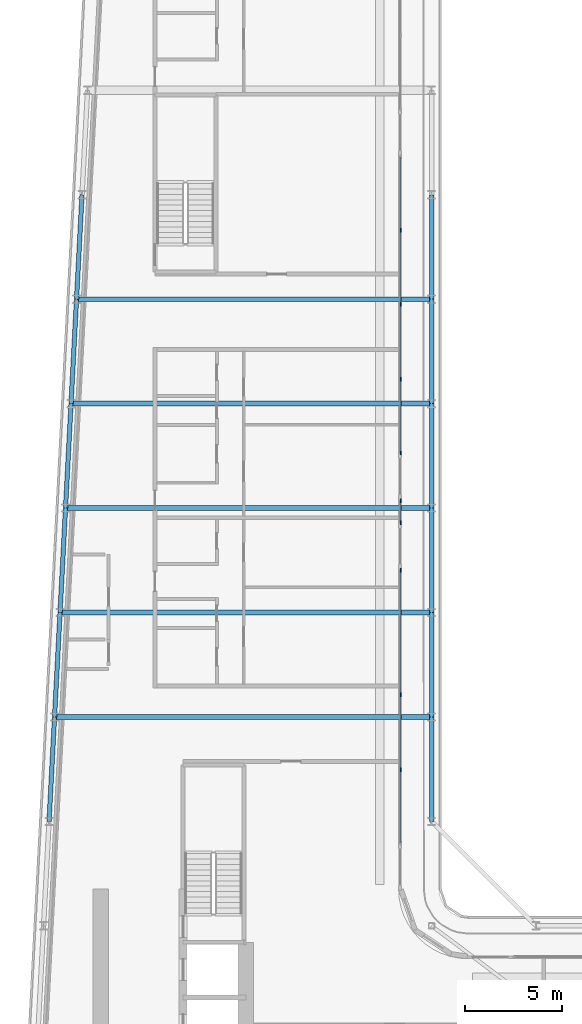
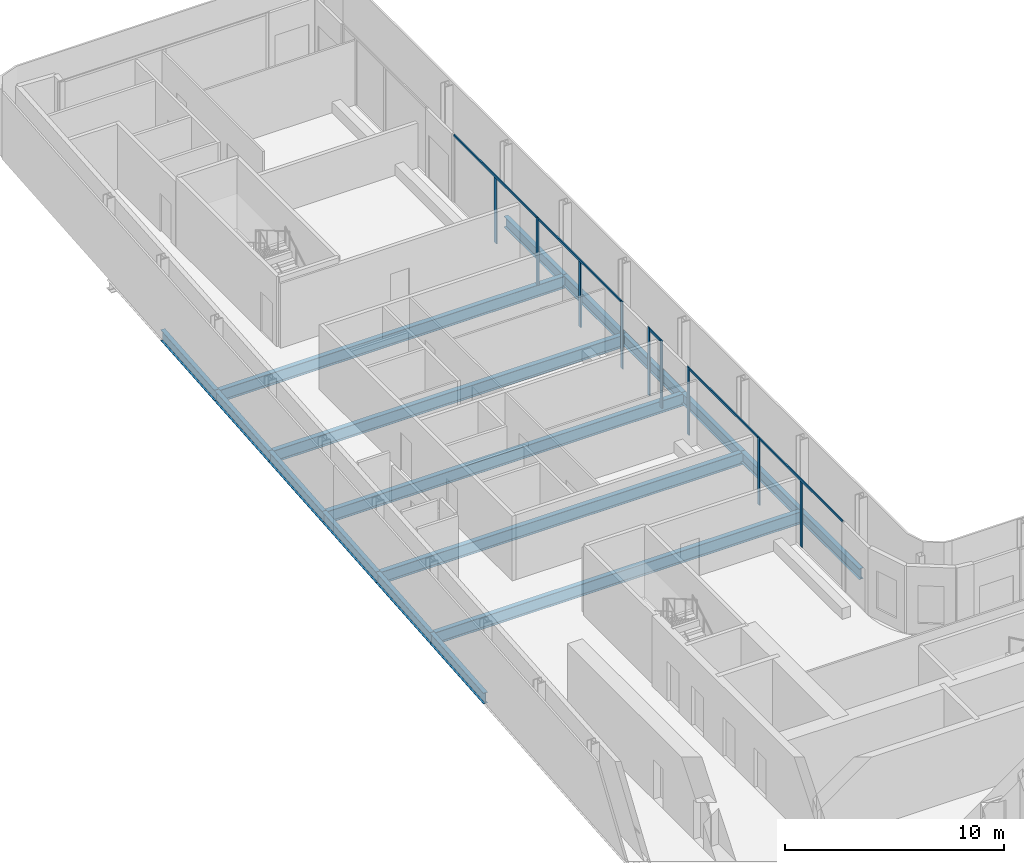
# One storey, part 9 of 30: 17 beams, 14 members, 5 elements without a shape of their own.
"""IFC4 building model written with IfcOpenShell, lengths in metres."""

from ifc_helpers import new_model, si_unit, direction, frame, origin, origin_2d, place, context, subcontext, project, spatial, rectangle, i_section, extrude, material, layer, layer_set, material_profile, profile_set, type_object, element, aggregate, save


model = new_model("IFC4")

# Units and contexts
model_context = context("Model", 3, precision=1e-05, world=origin(), true_north=direction((0.0, 1.0)))
body_context = subcontext(model_context, "Body", "Model", "MODEL_VIEW")
ifc_project = project(units=[si_unit("LENGTHUNIT", "METRE"), si_unit("AREAUNIT", "SQUARE_METRE"), si_unit("VOLUMEUNIT", "CUBIC_METRE"), si_unit("PLANEANGLEUNIT", "RADIAN"), si_unit("MASSUNIT", "GRAM", prefix="KILO")], contexts=[model_context])

# Site, building, storey
site_placement = place(None, origin())
site = spatial("IfcSite", under=ifc_project, at=site_placement, CompositionType="ELEMENT")
building_placement = place(site_placement, origin())
building = spatial("IfcBuilding", under=site, at=building_placement, Name="Kheshtan School and Residences Tower", CompositionType="ELEMENT")
storey_placement = place(building_placement, frame((0.0, 0.0, 199.39990234375)))
storey = spatial("IfcBuildingStorey", under=building, at=storey_placement, Name="L47", CompositionType="ELEMENT", Elevation=199.39990234375)

# Beams
ifc_material_1 = material(Name="Steel ASTM A992 Grade 50", Category="steel")
ifc_material_profile_1 = material_profile(ifc_material_1, i_section(OverallWidth=0.2529296875, OverallDepth=0.677978515625, WebThickness=0.01171875, FlangeThickness=0.016357421875, FilletRadius=0.0146484375, at=origin_2d()), Name="W690x125")
ifc_profile_set_1 = profile_set([ifc_material_profile_1], Name="Steel ASTM A992 Grade 50")
beam_type_1 = type_object("IfcBeamType", Name="Beam FB6 W690x125 ASTM A992 Grade 50", PredefinedType="BEAM", material=ifc_profile_set_1)
beam_1_placement = place(storey_placement, frame((47.60009765625, 78.0, -0.489013671875), z_axis=(-1.0, 0.0, 0.0), x_axis=(0.0, -1.0, 0.0)))
element("IfcBeam", 1, at=beam_1_placement, inside=storey, type_object=beam_type_1, Name="Floor beam C089", PredefinedType="BEAM", context=body_context, shape_type="SweptSolid", body=[
    extrude(i_section(OverallWidth=0.2529296875, OverallDepth=0.677978515625, WebThickness=0.01171875, FlangeThickness=0.016357421875, FilletRadius=0.0146484375, at=origin_2d()), origin(), (0.0, 0.0, 1.0), 18.357177734375),
])
beam_2_placement = place(storey_placement, frame((47.60009765625, 67.199951171875, -0.489013671875), z_axis=(-1.0, 0.0, 0.0), x_axis=(0.0, -1.0, 0.0)))
element("IfcBeam", 2, at=beam_2_placement, inside=storey, type_object=beam_type_1, Name="Floor beam C085", PredefinedType="BEAM", context=body_context, shape_type="SweptSolid", body=[
    extrude(i_section(OverallWidth=0.2529296875, OverallDepth=0.677978515625, WebThickness=0.01171875, FlangeThickness=0.016357421875, FilletRadius=0.0146484375, at=origin_2d()), origin(), (0.0, 0.0, 1.0), 18.926025390625),
])
beam_3_placement = place(storey_placement, frame((47.60009765625, 56.39990234375, -0.489013671875), z_axis=(-1.0, 0.0, 0.0), x_axis=(0.0, -1.0, 0.0)))
element("IfcBeam", 3, at=beam_3_placement, inside=storey, type_object=beam_type_1, Name="Floor beam C081", PredefinedType="BEAM", context=body_context, shape_type="SweptSolid", body=[
    extrude(i_section(OverallWidth=0.2529296875, OverallDepth=0.677978515625, WebThickness=0.01171875, FlangeThickness=0.016357421875, FilletRadius=0.0146484375, at=origin_2d()), origin(), (0.0, 0.0, 1.0), 19.494140625),
])
beam_4_placement = place(storey_placement, frame((28.389892578125, 61.800048828125, -0.489013671875), z_axis=(1.0, 0.0, 0.0), x_axis=(0.0, 1.0, 0.0)))
element("IfcBeam", 4, at=beam_4_placement, inside=storey, type_object=beam_type_1, Name="Floor beam C082", PredefinedType="BEAM", context=body_context, shape_type="SweptSolid", body=[
    extrude(i_section(OverallWidth=0.2529296875, OverallDepth=0.677978515625, WebThickness=0.01171875, FlangeThickness=0.016357421875, FilletRadius=0.0146484375, at=origin_2d()), origin(), (0.0, 0.0, 1.0), 19.210205078125),
])
beam_5_placement = place(storey_placement, frame((28.9580078125, 72.60009765625, -0.489013671875), z_axis=(1.0, 0.0, 0.0), x_axis=(0.0, 1.0, 0.0)))
element("IfcBeam", 5, at=beam_5_placement, inside=storey, type_object=beam_type_1, Name="Floor beam C086", PredefinedType="BEAM", context=body_context, shape_type="SweptSolid", body=[
    extrude(i_section(OverallWidth=0.2529296875, OverallDepth=0.677978515625, WebThickness=0.01171875, FlangeThickness=0.016357421875, FilletRadius=0.0146484375, at=origin_2d()), origin(), (0.0, 0.0, 1.0), 18.64208984375),
])
ifc_material_profile_2 = material_profile(ifc_material_1, i_section(OverallWidth=0.22802734375, OverallDepth=0.60302734375, WebThickness=0.010498046875, FlangeThickness=0.014892578125, FilletRadius=0.013427734375, at=origin_2d()), Name="W610x101")
ifc_profile_set_2 = profile_set([ifc_material_profile_2], Name="Steel ASTM A992 Grade 50")
beam_type_2 = type_object("IfcBeamType", Name="Beam SP2 W610x101 ASTM A992 Grade 50", PredefinedType="BEAM", material=ifc_profile_set_2)
for number, where, z_axis, x_axis, name in (
    (6, (47.60009765625, 83.39990234375, -0.451416015625), (0.0, -1.0, 0.0), (1.0, 0.0, 0.0), "Spandrel beam C091-C089"),
    (7, (47.60009765625, 78.0, -0.451416015625), (0.0, -1.0, 0.0), (1.0, 0.0, 0.0), "Spandrel beam C089-C087"),
):
    element("IfcBeam", number, at=place(storey_placement, frame(where, z_axis=z_axis, x_axis=x_axis)), inside=storey, type_object=beam_type_2, Name=name, PredefinedType="BEAM", context=body_context, shape_type="SweptSolid", body=[
        extrude(i_section(OverallWidth=0.22802734375, OverallDepth=0.60302734375, WebThickness=0.010498046875, FlangeThickness=0.014892578125, FilletRadius=0.013427734375, at=origin_2d()), origin(), (0.0, 0.0, 1.0), 5.39990234375),
    ])
beam_6_placement = place(storey_placement, frame((47.60009765625, 72.60009765625, -0.451416015625), z_axis=(0.0, -1.0, 0.0), x_axis=(1.0, 0.0, 0.0)))
element("IfcBeam", 8, at=beam_6_placement, inside=storey, type_object=beam_type_2, Name="Spandrel beam C087-C085", PredefinedType="BEAM", context=body_context, shape_type="SweptSolid", body=[
    extrude(i_section(OverallWidth=0.22802734375, OverallDepth=0.60302734375, WebThickness=0.010498046875, FlangeThickness=0.014892578125, FilletRadius=0.013427734375, at=origin_2d()), origin(), (0.0, 0.0, 1.0), 5.400146484375),
])
beam_7_placement = place(storey_placement, frame((47.60009765625, 67.199951171875, -0.451416015625), z_axis=(0.0, -1.0, 0.0), x_axis=(1.0, 0.0, 0.0)))
element("IfcBeam", 9, at=beam_7_placement, inside=storey, type_object=beam_type_2, Name="Spandrel beam C085-C083", PredefinedType="BEAM", context=body_context, shape_type="SweptSolid", body=[
    extrude(i_section(OverallWidth=0.22802734375, OverallDepth=0.60302734375, WebThickness=0.010498046875, FlangeThickness=0.014892578125, FilletRadius=0.013427734375, at=origin_2d()), origin(), (0.0, 0.0, 1.0), 5.39990234375),
])
beam_8_placement = place(storey_placement, frame((47.60009765625, 61.800048828125, -0.451416015625), z_axis=(0.0, -1.0, 0.0), x_axis=(1.0, 0.0, 0.0)))
element("IfcBeam", 10, at=beam_8_placement, inside=storey, type_object=beam_type_2, Name="Spandrel beam C083-C081", PredefinedType="BEAM", context=body_context, shape_type="SweptSolid", body=[
    extrude(i_section(OverallWidth=0.22802734375, OverallDepth=0.60302734375, WebThickness=0.010498046875, FlangeThickness=0.014892578125, FilletRadius=0.013427734375, at=origin_2d()), origin(), (0.0, 0.0, 1.0), 5.400146484375),
])
beam_9_placement = place(storey_placement, frame((47.60009765625, 56.39990234375, -0.451416015625), z_axis=(0.0, -1.0, 0.0), x_axis=(1.0, 0.0, 0.0)))
element("IfcBeam", 11, at=beam_9_placement, inside=storey, type_object=beam_type_2, Name="Spandrel beam C081-C079", PredefinedType="BEAM", context=body_context, shape_type="SweptSolid", body=[
    extrude(i_section(OverallWidth=0.22802734375, OverallDepth=0.60302734375, WebThickness=0.010498046875, FlangeThickness=0.014892578125, FilletRadius=0.013427734375, at=origin_2d()), origin(), (0.0, 0.0, 1.0), 5.39990234375),
])
beam_10_placement = place(storey_placement, frame((27.822021484375, 51.0, -0.451416015625), z_axis=(0.05250906864, 0.998620447272, 0.0), x_axis=(-0.998620447272, 0.05250906864, 0.0)))
element("IfcBeam", 12, at=beam_10_placement, inside=storey, type_object=beam_type_2, Name="Spandrel beam C078-C080", PredefinedType="BEAM", context=body_context, shape_type="SweptSolid", body=[
    extrude(i_section(OverallWidth=0.22802734375, OverallDepth=0.60302734375, WebThickness=0.010498046875, FlangeThickness=0.014892578125, FilletRadius=0.013427734375, at=origin_2d()), origin(), (0.0, 0.0, 1.0), 5.407470703125),
])
beam_11_placement = place(storey_placement, frame((28.10595703125, 56.39990234375, -0.451416015625), z_axis=(0.05250670125, 0.998620571751, 0.0), x_axis=(-0.998620571751, 0.05250670125, 0.0)))
element("IfcBeam", 13, at=beam_11_placement, inside=storey, type_object=beam_type_2, Name="Spandrel beam C080-C082", PredefinedType="BEAM", context=body_context, shape_type="SweptSolid", body=[
    extrude(i_section(OverallWidth=0.22802734375, OverallDepth=0.60302734375, WebThickness=0.010498046875, FlangeThickness=0.014892578125, FilletRadius=0.013427734375, at=origin_2d()), origin(), (0.0, 0.0, 1.0), 5.40771484375),
])
beam_12_placement = place(storey_placement, frame((28.389892578125, 61.800048828125, -0.451416015625), z_axis=(0.052554093665, 0.998618078766, 0.0), x_axis=(-0.998618078766, 0.052554093665, 0.0)))
element("IfcBeam", 14, at=beam_12_placement, inside=storey, type_object=beam_type_2, Name="Spandrel beam C082-C084", PredefinedType="BEAM", context=body_context, shape_type="SweptSolid", body=[
    extrude(i_section(OverallWidth=0.22802734375, OverallDepth=0.60302734375, WebThickness=0.010498046875, FlangeThickness=0.014892578125, FilletRadius=0.013427734375, at=origin_2d()), origin(), (0.0, 0.0, 1.0), 5.407470703125),
])
beam_13_placement = place(storey_placement, frame((28.674072265625, 67.199951171875, -0.451416015625), z_axis=(0.05250670125, 0.998620571751, 0.0), x_axis=(-0.998620571751, 0.05250670125, 0.0)))
element("IfcBeam", 15, at=beam_13_placement, inside=storey, type_object=beam_type_2, Name="Spandrel beam C084-C086", PredefinedType="BEAM", context=body_context, shape_type="SweptSolid", body=[
    extrude(i_section(OverallWidth=0.22802734375, OverallDepth=0.60302734375, WebThickness=0.010498046875, FlangeThickness=0.014892578125, FilletRadius=0.013427734375, at=origin_2d()), origin(), (0.0, 0.0, 1.0), 5.40771484375),
])
for number, where, z_axis, x_axis, name in (
    (16, (28.9580078125, 72.60009765625, -0.451416015625), (0.052689166816, 0.998610961136, 0.0), (-0.998610961136, 0.052689166816, 0.0), "Spandrel beam C086-C088"),
    (17, (29.242919921875, 78.0, -0.451416015625), (0.052554093665, 0.998618078766, 0.0), (-0.998618078766, 0.052554093665, 0.0), "Spandrel beam C088-C090"),
):
    element("IfcBeam", number, at=place(storey_placement, frame(where, z_axis=z_axis, x_axis=x_axis)), inside=storey, type_object=beam_type_2, Name=name, PredefinedType="BEAM", context=body_context, shape_type="SweptSolid", body=[
        extrude(i_section(OverallWidth=0.22802734375, OverallDepth=0.60302734375, WebThickness=0.010498046875, FlangeThickness=0.014892578125, FilletRadius=0.013427734375, at=origin_2d()), origin(), (0.0, 0.0, 1.0), 5.407470703125),
    ])

# Curtain wall, members
ifc_material_2 = material(Name="Clear low-e glass in thermally broken aluminium frame", Category="aluminium")
ifc_layer = layer(ifc_material_2, 0.199951171875)
ifc_layer_set = layer_set([ifc_layer], Name="Curtain wall CW-L")
curtain_wall_type = type_object("IfcCurtainWallType", Name="Curtain wall CW-L", PredefinedType="NOTDEFINED", material=ifc_layer_set)
curtain_wall_1_placement = place(storey_placement, origin())
curtain_wall_1 = element("IfcCurtainWall", 18, at=curtain_wall_1_placement, inside=storey, type_object=curtain_wall_type, Name="Curtain wall CWL8", PredefinedType="NOTDEFINED")
ifc_material_3 = material(Name="Thermally broken aluminium, dark bronze anodised", Category="aluminium")
ifc_material_profile_3 = material_profile(ifc_material_3, rectangle(XDim=0.06005859375, YDim=0.199951171875, at=origin_2d()), Name="CW-L mullion 60x200")
ifc_profile_set_3 = profile_set([ifc_material_profile_3], Name="Thermally broken aluminium, dark bronze anodised")
member_type_1 = type_object("IfcMemberType", Name="CW-L mullion 60x200", PredefinedType="MULLION", material=ifc_profile_set_3)
member_1_placement = place(storey_placement, frame((46.0, 81.55908203125, 0.0), z_axis=(0.0, 0.0, 1.0), x_axis=(1.0, 0.0, 0.0)))
member_1 = element("IfcMember", 19, at=member_1_placement, type_object=member_type_1, Name="CWL8 mullion 2", PredefinedType="MULLION", context=body_context, shape_type="SweptSolid", body=[
    extrude(rectangle(XDim=0.06005859375, YDim=0.199951171875, at=origin_2d()), origin(), (0.0, 0.0, 1.0), 3.630126953125),
])
member_2_placement = place(storey_placement, frame((46.0, 77.741943359375, 0.0), z_axis=(0.0, 0.0, 1.0), x_axis=(1.0, 0.0, 0.0)))
member_2 = element("IfcMember", 20, at=member_2_placement, type_object=member_type_1, Name="CWL8 mullion 3", PredefinedType="MULLION", context=body_context, shape_type="SweptSolid", body=[
    extrude(rectangle(XDim=0.06005859375, YDim=0.199951171875, at=origin_2d()), origin(), (0.0, 0.0, 1.0), 3.75),
])

curtain_wall_2_placement = place(storey_placement, origin())
curtain_wall_2 = element("IfcCurtainWall", 21, at=curtain_wall_2_placement, inside=storey, type_object=curtain_wall_type, Name="Curtain wall CWL8", PredefinedType="NOTDEFINED")
member_3_placement = place(storey_placement, frame((46.0, 73.864990234375, 0.0), z_axis=(0.0, 0.0, 1.0), x_axis=(1.0, 0.0, 0.0)))
member_3 = element("IfcMember", 22, at=member_3_placement, type_object=member_type_1, Name="CWL8 mullion 2", PredefinedType="MULLION", context=body_context, shape_type="SweptSolid", body=[
    extrude(rectangle(XDim=0.06005859375, YDim=0.199951171875, at=origin_2d()), origin(), (0.0, 0.0, 1.0), 3.630126953125),
])
member_4_placement = place(storey_placement, frame((46.0, 70.048095703125, 0.0), z_axis=(0.0, 0.0, 1.0), x_axis=(1.0, 0.0, 0.0)))
member_4 = element("IfcMember", 23, at=member_4_placement, type_object=member_type_1, Name="CWL8 mullion 3", PredefinedType="MULLION", context=body_context, shape_type="SweptSolid", body=[
    extrude(rectangle(XDim=0.06005859375, YDim=0.199951171875, at=origin_2d()), origin(), (0.0, 0.0, 1.0), 3.75),
])

curtain_wall_3_placement = place(storey_placement, origin())
curtain_wall_3 = element("IfcCurtainWall", 24, at=curtain_wall_3_placement, inside=storey, type_object=curtain_wall_type, Name="Curtain wall CWL8g", PredefinedType="NOTDEFINED")
member_5_placement = place(storey_placement, frame((46.0, 67.587890625, 0.0), z_axis=(0.0, 0.0, 1.0), x_axis=(1.0, 0.0, 0.0)))
member_5 = element("IfcMember", 25, at=member_5_placement, type_object=member_type_1, Name="CWL8g mullion 1", PredefinedType="MULLION", context=body_context, shape_type="SweptSolid", body=[
    extrude(rectangle(XDim=0.06005859375, YDim=0.199951171875, at=origin_2d()), origin(), (0.0, 0.0, 1.0), 3.75),
])
member_6_placement = place(storey_placement, frame((46.0, 66.447998046875, 0.0), z_axis=(0.0, 0.0, 1.0), x_axis=(1.0, 0.0, 0.0)))
member_6 = element("IfcMember", 26, at=member_6_placement, type_object=member_type_1, Name="CWL8g mullion 2", PredefinedType="MULLION", context=body_context, shape_type="SweptSolid", body=[
    extrude(rectangle(XDim=0.06005859375, YDim=0.199951171875, at=origin_2d()), origin(), (0.0, 0.0, 1.0), 3.75),
])

curtain_wall_4_placement = place(storey_placement, origin())
curtain_wall_4 = element("IfcCurtainWall", 27, at=curtain_wall_4_placement, inside=storey, type_object=curtain_wall_type, Name="Curtain wall CWL8h", PredefinedType="NOTDEFINED")
member_7_placement = place(storey_placement, frame((46.0, 63.988037109375, 0.0), z_axis=(0.0, 0.0, 1.0), x_axis=(1.0, 0.0, 0.0)))
member_7 = element("IfcMember", 28, at=member_7_placement, type_object=member_type_1, Name="CWL8h mullion 1", PredefinedType="MULLION", context=body_context, shape_type="SweptSolid", body=[
    extrude(rectangle(XDim=0.06005859375, YDim=0.199951171875, at=origin_2d()), origin(), (0.0, 0.0, 1.0), 3.75),
])
member_8_placement = place(storey_placement, frame((46.0, 57.553955078125, 0.0), z_axis=(0.0, 0.0, 1.0), x_axis=(1.0, 0.0, 0.0)))
member_8 = element("IfcMember", 29, at=member_8_placement, type_object=member_type_1, Name="CWL8h mullion 2", PredefinedType="MULLION", context=body_context, shape_type="SweptSolid", body=[
    extrude(rectangle(XDim=0.06005859375, YDim=0.199951171875, at=origin_2d()), origin(), (0.0, 0.0, 1.0), 3.75),
])

# Curtain wall, member
curtain_wall_5_placement = place(storey_placement, origin())
curtain_wall_5 = element("IfcCurtainWall", 30, at=curtain_wall_5_placement, inside=storey, type_object=curtain_wall_type, Name="Curtain wall CWL8", PredefinedType="NOTDEFINED")
member_9_placement = place(storey_placement, frame((46.0, 53.677001953125, 0.0), z_axis=(0.0, 0.0, 1.0), x_axis=(1.0, 0.0, 0.0)))
member_9 = element("IfcMember", 31, at=member_9_placement, type_object=member_type_1, Name="CWL8 mullion 2", PredefinedType="MULLION", context=body_context, shape_type="SweptSolid", body=[
    extrude(rectangle(XDim=0.06005859375, YDim=0.199951171875, at=origin_2d()), origin(), (0.0, 0.0, 1.0), 3.630126953125),
])

# Member
ifc_material_profile_4 = material_profile(ifc_material_3, rectangle(XDim=0.06005859375, YDim=0.1201171875, at=origin_2d()), Name="CW-L transom 60x120")
ifc_profile_set_4 = profile_set([ifc_material_profile_4], Name="Thermally broken aluminium, dark bronze anodised")
member_type_2 = type_object("IfcMemberType", Name="CW-L transom 60x120", PredefinedType="USERDEFINED", material=ifc_profile_set_4)
member_10_placement = place(storey_placement, frame((46.0, 85.345947265625, 3.690185546875), z_axis=(0.0, -1.0, 0.0), x_axis=(1.0, 0.0, 0.0)))
member_10 = element("IfcMember", 32, at=member_10_placement, type_object=member_type_2, Name="CWL8 transom 1", ObjectType="TRANSOM", PredefinedType="USERDEFINED", context=body_context, shape_type="SweptSolid", body=[
    extrude(rectangle(XDim=0.06005859375, YDim=0.1201171875, at=origin_2d()), origin(), (0.0, 0.0, 1.0), 7.573974609375),
])

aggregate(curtain_wall_1, [member_1, member_2, member_10])

member_11_placement = place(storey_placement, frame((46.0, 77.7119140625, 3.690185546875), z_axis=(0.0, -1.0, 0.0), x_axis=(1.0, 0.0, 0.0)))
member_11 = element("IfcMember", 33, at=member_11_placement, type_object=member_type_2, Name="CWL8 transom 1", ObjectType="TRANSOM", PredefinedType="USERDEFINED", context=body_context, shape_type="SweptSolid", body=[
    extrude(rectangle(XDim=0.06005859375, YDim=0.1201171875, at=origin_2d()), origin(), (0.0, 0.0, 1.0), 7.634033203125),
])

aggregate(curtain_wall_2, [member_3, member_4, member_11])

member_12_placement = place(storey_placement, frame((46.0, 67.55810546875, 3.690185546875), z_axis=(0.0, -1.0, 0.0), x_axis=(1.0, 0.0, 0.0)))
member_12 = element("IfcMember", 34, at=member_12_placement, type_object=member_type_2, Name="CWL8g transom 1", ObjectType="TRANSOM", PredefinedType="USERDEFINED", context=body_context, shape_type="SweptSolid", body=[
    extrude(rectangle(XDim=0.06005859375, YDim=0.1201171875, at=origin_2d()), origin(), (0.0, 0.0, 1.0), 1.080078125),
])

aggregate(curtain_wall_3, [member_5, member_6, member_12])

member_13_placement = place(storey_placement, frame((46.0, 63.9580078125, 3.690185546875), z_axis=(0.0, -1.0, 0.0), x_axis=(1.0, 0.0, 0.0)))
member_13 = element("IfcMember", 35, at=member_13_placement, type_object=member_type_2, Name="CWL8h transom 1", ObjectType="TRANSOM", PredefinedType="USERDEFINED", context=body_context, shape_type="SweptSolid", body=[
    extrude(rectangle(XDim=0.06005859375, YDim=0.1201171875, at=origin_2d()), origin(), (0.0, 0.0, 1.0), 6.3740234375),
])

aggregate(curtain_wall_4, [member_7, member_8, member_13])

member_14_placement = place(storey_placement, frame((46.0, 57.52392578125, 3.690185546875), z_axis=(0.0, -1.0, 0.0), x_axis=(1.0, 0.0, 0.0)))
member_14 = element("IfcMember", 36, at=member_14_placement, type_object=member_type_2, Name="CWL8 transom 1", ObjectType="TRANSOM", PredefinedType="USERDEFINED", context=body_context, shape_type="SweptSolid", body=[
    extrude(rectangle(XDim=0.06005859375, YDim=0.1201171875, at=origin_2d()), origin(), (0.0, 0.0, 1.0), 7.634033203125),
])

aggregate(curtain_wall_5, [member_9, member_14])

save(model, "model.ifc")
